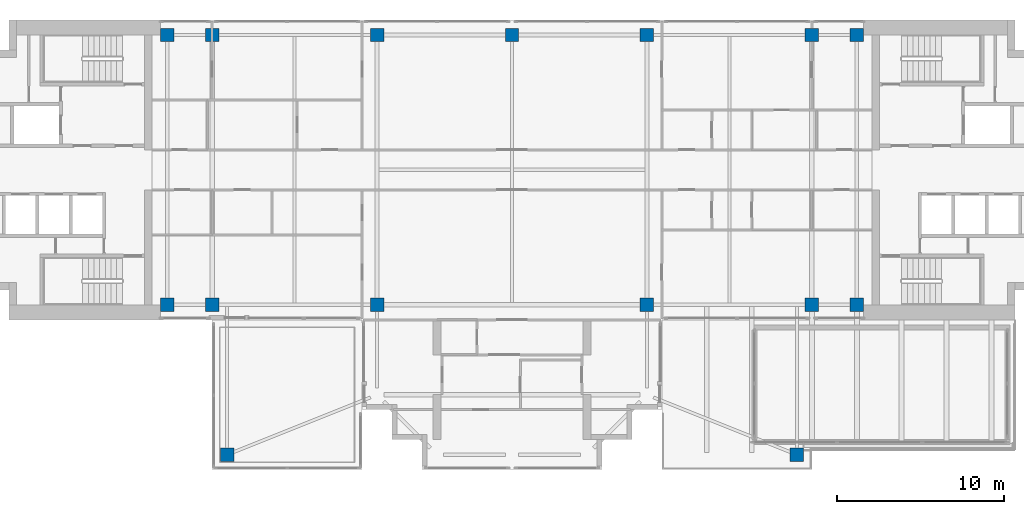
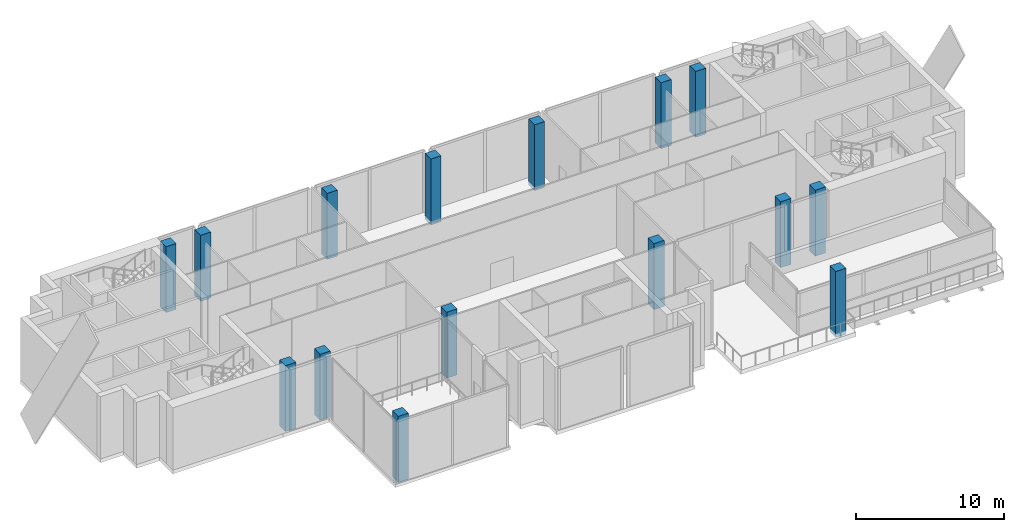
# One storey, part 1 of 14: 15 columns.
"""IFC4 building model written with IfcOpenShell, lengths in metres."""

from ifc_helpers import new_model, si_unit, direction, frame, origin, origin_2d, place, context, subcontext, project, spatial, rectangle, extrude, material, material_profile, profile_set, type_object, element, save


model = new_model("IFC4")

# Units and contexts
model_context = context("Model", 3, precision=1e-05, world=origin(), true_north=direction((0.0, 1.0)))
body_context = subcontext(model_context, "Body", "Model", "MODEL_VIEW")
ifc_project = project(units=[si_unit("LENGTHUNIT", "METRE"), si_unit("AREAUNIT", "SQUARE_METRE"), si_unit("VOLUMEUNIT", "CUBIC_METRE"), si_unit("PLANEANGLEUNIT", "RADIAN"), si_unit("MASSUNIT", "GRAM", prefix="KILO")], contexts=[model_context])

# Site, building, storey
site_placement = place(None, origin())
site = spatial("IfcSite", under=ifc_project, at=site_placement, CompositionType="ELEMENT")
building_placement = place(site_placement, origin())
building = spatial("IfcBuilding", under=site, at=building_placement, Name="Perihelion Cross Residences", CompositionType="ELEMENT")
storey_placement = place(building_placement, frame((0.0, 0.0, 285.0)))
storey = spatial("IfcBuildingStorey", under=building, at=storey_placement, Name="L73", CompositionType="ELEMENT", Elevation=285.0)

# Columns
ifc_material = material(Name="Concrete C50/60", Category="concrete")
ifc_material_profile = material_profile(ifc_material, rectangle(XDim=0.800048828125, YDim=0.800048828125, at=origin_2d()), Name="RC 800x800")
ifc_profile_set = profile_set([ifc_material_profile], Name="Concrete C50/60")
column_type = type_object("IfcColumnType", Name="Reinforced concrete column 800x800 C50/60", PredefinedType="COLUMN", material=ifc_profile_set)
for number, where, z_axis, x_axis, name in (
    (1, (-20.699951171875, -8.10009765625, -0.300048828125), (0.0, 0.0, 1.0), (1.0, 0.0, 0.0), "Column C017 L73 no. 1"),
    (2, (-20.699951171875, 8.10009765625, -0.300048828125), (0.0, 0.0, 1.0), (1.0, 0.0, 0.0), "Column C010 L73 no. 1"),
    (3, (-18.0, -8.10009765625, -0.300048828125), (0.0, 0.0, 1.0), (1.0, 0.0, 0.0), "Column C018 L73 no. 1"),
    (4, (-18.0, 8.10009765625, -0.300048828125), (0.0, 0.0, 1.0), (1.0, 0.0, 0.0), "Column C011 L73 no. 1"),
    (5, (-8.10009765625, -8.10009765625, -0.300048828125), (0.0, 0.0, 1.0), (1.0, 0.0, 0.0), "Column C019 L73 no. 1"),
    (6, (-8.10009765625, 8.10009765625, -0.300048828125), (0.0, 0.0, 1.0), (1.0, 0.0, 0.0), "Column C012 L73 no. 1"),
    (7, (0.0, 8.10009765625, -0.300048828125), (0.0, 0.0, 1.0), (1.0, 0.0, 0.0), "Column C013 L73 no. 1"),
    (8, (8.10009765625, -8.10009765625, -0.300048828125), (0.0, 0.0, 1.0), (1.0, 0.0, 0.0), "Column C020 L73 no. 1"),
    (9, (8.10009765625, 8.10009765625, -0.300048828125), (0.0, 0.0, 1.0), (1.0, 0.0, 0.0), "Column C014 L73 no. 1"),
    (10, (18.0, -8.10009765625, -0.300048828125), (0.0, 0.0, 1.0), (1.0, 0.0, 0.0), "Column C021 L73 no. 1"),
    (11, (18.0, 8.10009765625, -0.300048828125), (0.0, 0.0, 1.0), (1.0, 0.0, 0.0), "Column C015 L73 no. 1"),
    (12, (20.699951171875, -8.10009765625, -0.300048828125), (0.0, 0.0, 1.0), (1.0, 0.0, 0.0), "Column C022 L73 no. 1"),
    (13, (20.699951171875, 8.10009765625, -0.300048828125), (0.0, 0.0, 1.0), (1.0, 0.0, 0.0), "Column C016 L73 no. 1"),
    (14, (-17.10009765625, -17.10009765625, -0.300048828125), (0.0, 0.0, 1.0), (1.0, 0.0, 0.0), "Column C030 L73 no. 1"),
    (15, (17.10009765625, -17.10009765625, -0.300048828125), (0.0, 0.0, 1.0), (1.0, 0.0, 0.0), "Column C036 L73 no. 1"),
):
    element("IfcColumn", number, at=place(storey_placement, frame(where, z_axis=z_axis, x_axis=x_axis)), inside=storey, type_object=column_type, Name=name, PredefinedType="COLUMN", context=body_context, shape_type="SweptSolid", body=[
        extrude(rectangle(XDim=0.800048828125, YDim=0.800048828125, at=origin_2d()), origin(), (0.0, 0.0, 1.0), 5.449951171875),
    ])

save(model, "model.ifc")
